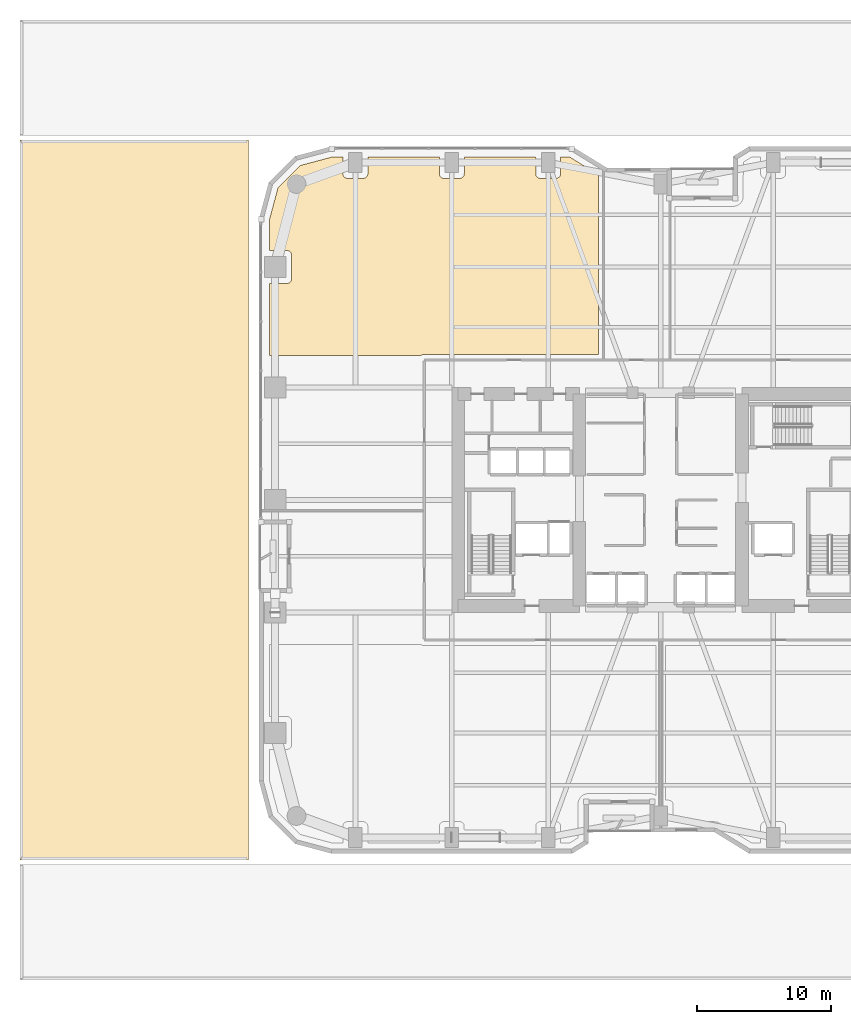
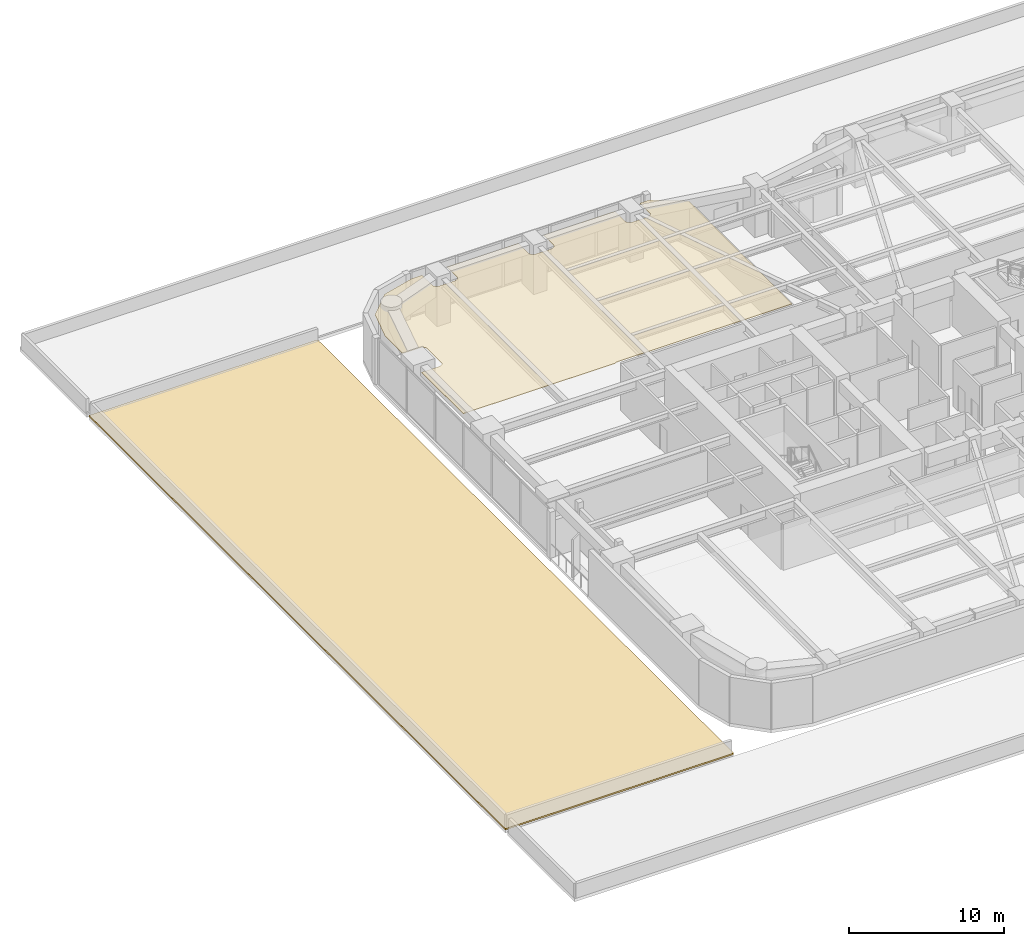
# One storey, part 36 of 38: 2 coverings.
"""IFC4 building model written with IfcOpenShell, lengths in metres."""

import ifcopenshell
import ifcopenshell.guid

model = None  # the IFC model being written
_history = None  # IfcOwnerHistory: only IFC2X3 demands one
_inside = {}  # id of a spatial element -> (the spatial element, [elements in it])
_under = {}  # id of a project, library or spatial element -> (it, [spatial elements below it])
_declared = {}  # id of a project -> (the project, [libraries it declares])
_typed = {}  # id of a type object -> (the type object, [elements of that type])
_made_of = {}  # id of a material, layer set ... -> (it, [elements and type objects made of it])


def new_model(schema):
    """Start an empty IFC model of exactly this schema.

    Asked for "IFC4X3", IfcOpenShell would pick the latest addendum, in which some entities
    have other attributes; the version numbers below select the first issue.
    IFC2X3 requires an IfcOwnerHistory on every rooted entity: one is made here for all.
    """
    global model, _history
    if schema == "IFC4X3":
        model = ifcopenshell.file(schema_version=(4, 3, 0, 0))
    else:
        model = ifcopenshell.file(schema=schema)
    _inside.clear()
    _under.clear()
    _declared.clear()
    _typed.clear()
    _made_of.clear()
    _history = None
    if model.schema == "IFC2X3":
        org = make("IfcOrganization", Name="unknown")
        user = make(
            "IfcPersonAndOrganization",
            ThePerson=make("IfcPerson", FamilyName="unknown"),
            TheOrganization=org,
        )
        app = make(
            "IfcApplication",
            ApplicationDeveloper=org,
            Version="unknown",
            ApplicationFullName="unknown",
            ApplicationIdentifier="unknown",
        )
        _history = make(
            "IfcOwnerHistory",
            OwningUser=user,
            OwningApplication=app,
            ChangeAction="ADDED",
            CreationDate=0,
        )
    return model


def make(cls, **values):
    """One entity of the class cls with the attributes given. An attribute that is None is left unset."""
    return model.create_entity(
        cls, **{name: value for name, value in values.items() if value is not None}
    )


def rooted(cls, **values):
    """An entity with a GlobalId (a new one), such as an element, a storey or a relation."""
    return make(cls, GlobalId=ifcopenshell.guid.new(), OwnerHistory=_history, **values)


def si_unit(unit_type, name, prefix=None):
    """IfcSIUnit, for example si_unit("LENGTHUNIT", "METRE", prefix="MILLI")."""
    return make("IfcSIUnit", UnitType=unit_type, Prefix=prefix, Name=name)


def assignment(units):
    """IfcUnitAssignment: the units of a project."""
    return None if units is None else make("IfcUnitAssignment", Units=units)


def point(xyz):
    """IfcCartesianPoint."""
    return None if xyz is None else make("IfcCartesianPoint", Coordinates=xyz)


def direction(xyz):
    """IfcDirection."""
    return None if xyz is None else make("IfcDirection", DirectionRatios=xyz)


def frame(location, z_axis=None, x_axis=None):
    """IfcAxis2Placement3D, a coordinate frame: its origin and axes. An axis left out is left unset."""
    return make(
        "IfcAxis2Placement3D",
        Location=point(location),
        Axis=direction(z_axis),
        RefDirection=direction(x_axis),
    )


def origin():
    """The frame at (0, 0, 0) with its axes left unset."""
    return frame((0.0, 0.0, 0.0))


def place(relative_to, where):
    """IfcLocalPlacement: puts the frame where relative to a parent placement (None: the world)."""
    return make(
        "IfcLocalPlacement", PlacementRelTo=relative_to, RelativePlacement=where
    )


def context(
    kind, dimensions, precision=None, world=None, true_north=None, identifier=None
):
    """IfcGeometricRepresentationContext, for example the 3D "Model" context."""
    return make(
        "IfcGeometricRepresentationContext",
        ContextIdentifier=identifier,
        ContextType=kind,
        CoordinateSpaceDimension=dimensions,
        Precision=precision,
        WorldCoordinateSystem=world,
        TrueNorth=true_north,
    )


def subcontext(parent, identifier, kind, view, scale=None):
    """IfcGeometricRepresentationSubContext, for example "Body" below "Model"."""
    return make(
        "IfcGeometricRepresentationSubContext",
        ContextIdentifier=identifier,
        ContextType=kind,
        ParentContext=parent,
        TargetScale=scale,
        TargetView=view,
    )


def project(units=None, contexts=None):
    """IfcProject with its units and contexts."""
    return rooted(
        "IfcProject",
        Name="project",
        RepresentationContexts=contexts,
        UnitsInContext=assignment(units),
    )


def spatial(cls, under=None, at=None, **own):
    """A site, building, storey or space (cls), placed at a placement, below another one or the project."""
    s = rooted(cls, ObjectPlacement=at, **own)
    if under is not None:
        _under.setdefault(under.id(), (under, []))[1].append(s)
    return s


def polyline(points):
    """IfcPolyline through the points."""
    return make("IfcPolyline", Points=[point(p) for p in points])


def outline(outer, holes=None, kind="AREA"):
    """IfcArbitraryClosedProfileDef: a profile drawn as a closed curve; with holes, ...WithVoids."""
    if holes is None:
        return make("IfcArbitraryClosedProfileDef", ProfileType=kind, OuterCurve=outer)
    return make(
        "IfcArbitraryProfileDefWithVoids",
        ProfileType=kind,
        OuterCurve=outer,
        InnerCurves=holes,
    )


def extrude(swept, where, along, depth):
    """IfcExtrudedAreaSolid: the profile swept, set in the frame where, extruded along a direction by depth."""
    return make(
        "IfcExtrudedAreaSolid",
        SweptArea=swept,
        Position=where,
        ExtrudedDirection=direction(along),
        Depth=depth,
    )


def shape(context_of_items, identifier, shape_type, items):
    """IfcShapeRepresentation: the items that make up one representation, for example the "Body"."""
    return make(
        "IfcShapeRepresentation",
        ContextOfItems=context_of_items,
        RepresentationIdentifier=identifier,
        RepresentationType=shape_type,
        Items=items,
    )


def material(Name=None, Category=None):
    """IfcMaterial."""
    return make("IfcMaterial", Name=Name, Category=Category)


def layer(
    of_material, thickness, ventilated=None, Name=None, Category=None, Priority=None
):
    """IfcMaterialLayer: one layer of a wall or slab, of a material (None: an air gap)."""
    return make(
        "IfcMaterialLayer",
        Material=of_material,
        LayerThickness=thickness,
        IsVentilated=ventilated,
        Name=Name,
        Category=Category,
        Priority=Priority,
    )


def layer_set(layers, Name=None):
    """IfcMaterialLayerSet."""
    return make("IfcMaterialLayerSet", MaterialLayers=layers, LayerSetName=Name)


def made_of(thing, what):
    """Note that an element or type object is made of a material, layer set ...; save() writes the relation."""
    if what is not None:
        _made_of.setdefault(what.id(), (what, []))[1].append(thing)
    return thing


def type_object(cls, material=None, **own):
    """A type object (cls), such as IfcWallType, which elements share."""
    return made_of(rooted(cls, **own), material)


def element(
    cls,
    number,
    at=None,
    inside=None,
    cuts=None,
    type_object=None,
    material=None,
    context=None,
    identifier="Body",
    shape_type=None,
    held_by="IfcProductDefinitionShape",
    body=None,
    shapes=None,
    **own,
):
    """One element of the class cls, such as IfcWall. Its Tag is "e" and its number.

    at: its placement. inside: the storey or other place that contains it. cuts: it is an
    opening in that element (IfcRelVoidsElement). A single representation is given by context,
    identifier, shape_type and body (its items); several are given by shapes. held_by: the class
    of the entity that holds the representations. save() writes the other relations.
    """
    e = rooted(cls, Tag="e%d" % number, ObjectPlacement=at, **own)
    if body is not None:
        shapes = [shape(context, identifier, shape_type, body)]
    if shapes is not None:
        e.Representation = make(held_by, Representations=shapes)
    if inside is not None:
        _inside.setdefault(inside.id(), (inside, []))[1].append(e)
    if cuts is not None:
        rooted(
            "IfcRelVoidsElement", RelatingBuildingElement=cuts, RelatedOpeningElement=e
        )
    if type_object is not None:
        _typed.setdefault(type_object.id(), (type_object, []))[1].append(e)
    return made_of(e, material)


def aggregate(whole, parts):
    """IfcRelAggregates: a whole, such as a stair, and the parts it consists of."""
    return rooted("IfcRelAggregates", RelatingObject=whole, RelatedObjects=parts)


def save(model, path):
    """Write the relations noted so far, then the file.

    IfcRelAggregates (storeys below a building ...), IfcRelContainedInSpatialStructure (elements
    in a storey), IfcRelDefinesByType, IfcRelAssociatesMaterial and IfcRelDeclares: one each for
    every whole, place, type object, material and project.
    """
    for whole, parts in _under.values():
        aggregate(whole, parts)
    for where, things in _inside.values():
        rooted(
            "IfcRelContainedInSpatialStructure",
            RelatedElements=things,
            RelatingStructure=where,
        )
    for kind, things in _typed.values():
        rooted("IfcRelDefinesByType", RelatedObjects=things, RelatingType=kind)
    for what, things in _made_of.values():
        rooted("IfcRelAssociatesMaterial", RelatedObjects=things, RelatingMaterial=what)
    for by, libraries in _declared.values():
        rooted("IfcRelDeclares", RelatingContext=by, RelatedDefinitions=libraries)
    model.write(path)


model = new_model("IFC4")

# Units and contexts
model_context = context("Model", 3, precision=1e-05, world=origin(), true_north=direction((0.0, 1.0)))
body_context = subcontext(model_context, "Body", "Model", "MODEL_VIEW")
ifc_project = project(units=[si_unit("LENGTHUNIT", "METRE"), si_unit("AREAUNIT", "SQUARE_METRE"), si_unit("VOLUMEUNIT", "CUBIC_METRE"), si_unit("PLANEANGLEUNIT", "RADIAN"), si_unit("MASSUNIT", "GRAM", prefix="KILO")], contexts=[model_context])

# Site, building, storey
site_placement = place(None, origin())
site = spatial("IfcSite", under=ifc_project, at=site_placement, CompositionType="ELEMENT")
building_placement = place(site_placement, origin())
building = spatial("IfcBuilding", under=site, at=building_placement, Name="Kiyonajd Concourse Tower", CompositionType="ELEMENT")
storey_placement = place(building_placement, frame((0.0, 0.0, 21.60009765625)))
storey = spatial("IfcBuildingStorey", under=building, at=storey_placement, Name="L06", CompositionType="ELEMENT", Elevation=21.60009765625)

# Coverings
ifc_material_1 = material(Name="Natural Oak Acoustic Timber Veneer", Category="wood")
ifc_layer_1 = layer(ifc_material_1, 0.0400390625)
ifc_layer_set_1 = layer_set([ifc_layer_1], Name="Natural Oak Acoustic Timber Veneer")
covering_type_1 = type_object("IfcCoveringType", Name="CV-CLG-ACST", PredefinedType="CEILING", material=ifc_layer_set_1)
covering_1_placement = place(storey_placement, frame((0.0, 0.0, 3.4599609375)))
element("IfcCovering", 1, at=covering_1_placement, inside=storey, type_object=covering_type_1, Name="L06-40 Room Acoustic Ceiling", PredefinedType="CEILING", context=body_context, shape_type="SweptSolid", body=[
    extrude(outline(polyline([(21.097900390625, 60.986083984375), (23.5009765625, 61.6298828125), (24.27001953125, 61.6298828125), (24.27197265625, 60.3359375), (24.297119140625, 60.236083984375), (24.3291015625, 60.176025390625), (24.373046875, 60.123046875), (24.426025390625, 60.0791015625), (24.486083984375, 60.047119140625), (24.5859375, 60.02197265625), (25.81396484375, 60.02197265625), (25.9140625, 60.047119140625), (26.001953125, 60.09912109375), (26.051025390625, 60.14794921875), (26.089111328125, 60.205078125), (26.123046875, 60.302001953125), (26.1298828125, 60.3701171875), (26.1298828125, 61.6298828125), (31.469970703125, 61.6298828125), (31.471923828125, 60.3359375), (31.4970703125, 60.236083984375), (31.529052734375, 60.176025390625), (31.572998046875, 60.123046875), (31.6259765625, 60.0791015625), (31.68603515625, 60.047119140625), (31.785888671875, 60.02197265625), (32.97998046875, 60.02001953125), (33.048095703125, 60.027099609375), (33.114013671875, 60.047119140625), (33.201904296875, 60.09912109375), (33.2509765625, 60.14794921875), (33.2890625, 60.205078125), (33.322998046875, 60.302001953125), (33.330078125, 60.3701171875), (33.330078125, 61.6298828125), (38.669921875, 61.6298828125), (38.672119140625, 60.3359375), (38.697021484375, 60.236083984375), (38.72900390625, 60.176025390625), (38.77294921875, 60.123046875), (38.825927734375, 60.0791015625), (38.885986328125, 60.047119140625), (38.986083984375, 60.02197265625), (40.179931640625, 60.02001953125), (40.248046875, 60.027099609375), (40.31396484375, 60.047119140625), (40.402099609375, 60.09912109375), (40.450927734375, 60.14794921875), (40.489013671875, 60.205078125), (40.52294921875, 60.302001953125), (40.530029296875, 60.3701171875), (40.530029296875, 61.6298828125), (41.181884765625, 61.6298828125), (43.3701171875, 60.282958984375), (43.3701171875, 46.8798828125), (30.35009765625, 46.8798828125), (30.219970703125, 46.860107421875), (30.156982421875, 46.833984375), (30.10205078125, 46.800048828125), (18.77001953125, 46.800048828125), (18.77001953125, 52.169921875), (20.080078125, 52.169921875), (20.14794921875, 52.177001953125), (20.2451171875, 52.2109375), (20.302001953125, 52.2490234375), (20.35107421875, 52.298095703125), (20.388916015625, 52.35498046875), (20.4150390625, 52.41796875), (20.429931640625, 52.52001953125), (20.429931640625, 54.280029296875), (20.4150390625, 54.382080078125), (20.388916015625, 54.445068359375), (20.35107421875, 54.501953125), (20.302001953125, 54.551025390625), (20.2451171875, 54.589111328125), (20.181884765625, 54.614990234375), (20.114013671875, 54.6279296875), (18.77001953125, 54.6298828125), (18.77001953125, 56.89892578125), (19.4140625, 59.302001953125), (21.097900390625, 60.986083984375)])), origin(), (0.0, 0.0, 1.0), 0.0400390625),
])
ifc_material_2 = material(Name="Engineered Hinoki Wood-Effect Architectural Tile", Category="wood")
ifc_layer_2 = layer(ifc_material_2, 0.1201171875)
ifc_layer_set_2 = layer_set([ifc_layer_2], Name="Engineered Hinoki Wood-Effect Architectural Tile")
covering_type_2 = type_object("IfcCoveringType", Name="CV-ROOF-MEMB", PredefinedType="ROOFING", material=ifc_layer_set_2)
covering_2_placement = place(storey_placement, origin())
element("IfcCovering", 2, at=covering_2_placement, inside=storey, type_object=covering_type_2, Name="L06 Setback Roof Membrane", PredefinedType="ROOFING", context=body_context, shape_type="SweptSolid", body=[
    extrude(outline(polyline([(0.14990234375, 62.89990234375), (17.199951171875, 62.89990234375), (17.199951171875, 9.10009765625), (0.14990234375, 9.10009765625), (0.14990234375, 62.89990234375)])), origin(), (0.0, 0.0, 1.0), 0.119873046875),
])

save(model, "model.ifc")
